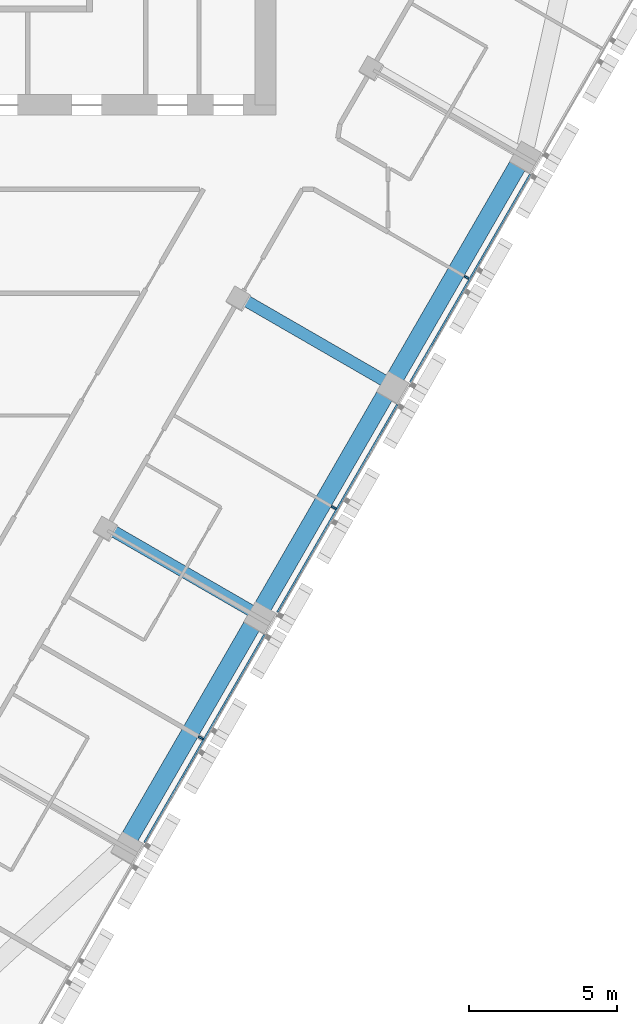
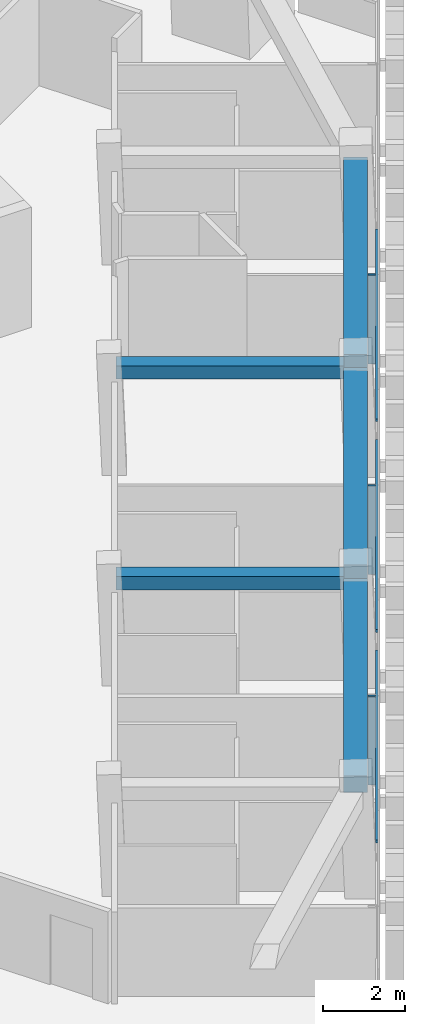
# One storey, part 4 of 16: 6 members, 5 beams, 1 element without a shape of its own.
"""IFC4 building model written with IfcOpenShell, lengths in metres."""

from ifc_helpers import new_model, si_unit, direction, frame, origin, origin_2d, place, context, subcontext, project, spatial, rectangle, extrude, material, layer, layer_set, material_profile, profile_set, type_object, element, aggregate, save


model = new_model("IFC4")

# Units and contexts
model_context = context("Model", 3, precision=1e-05, world=origin(), true_north=direction((0.0, 1.0)))
body_context = subcontext(model_context, "Body", "Model", "MODEL_VIEW")
ifc_project = project(units=[si_unit("LENGTHUNIT", "METRE"), si_unit("AREAUNIT", "SQUARE_METRE"), si_unit("VOLUMEUNIT", "CUBIC_METRE"), si_unit("PLANEANGLEUNIT", "RADIAN"), si_unit("MASSUNIT", "GRAM", prefix="KILO")], contexts=[model_context])

# Site, building, storey
site_placement = place(None, origin())
site = spatial("IfcSite", under=ifc_project, at=site_placement, CompositionType="ELEMENT")
building_placement = place(site_placement, origin())
building = spatial("IfcBuilding", under=site, at=building_placement, Name="Altiplano Prism Tower", CompositionType="ELEMENT")
storey_placement = place(building_placement, frame((0.0, 0.0, 178.199951171875)))
storey = spatial("IfcBuildingStorey", under=building, at=storey_placement, Name="L46", CompositionType="ELEMENT", Elevation=178.199951171875)

# Curtain wall, members
ifc_material_1 = material(Name="Aluminium and glass", Category="aluminium")
ifc_layer = layer(ifc_material_1, 0.280029296875)
ifc_layer_set = layer_set([ifc_layer], Name="Aluminium and glass")
curtain_wall_type = type_object("IfcCurtainWallType", Name="CW1 typical co-living unitised curtain wall", PredefinedType="NOTDEFINED", material=ifc_layer_set)
curtain_wall_placement = place(storey_placement, origin())
curtain_wall = element("IfcCurtainWall", 1, at=curtain_wall_placement, inside=storey, type_object=curtain_wall_type, Name="CW1 curtain wall south-east face L46", PredefinedType="NOTDEFINED")
ifc_material_2 = material(Name="Aluminium", Category="aluminium")
ifc_material_profile_1 = material_profile(ifc_material_2, rectangle(XDim=0.179931640625, YDim=0.06494140625, at=origin_2d()), Name="CW1 mullion 65 x 180")
ifc_profile_set_1 = profile_set([ifc_material_profile_1], Name="Aluminium")
member_type_1 = type_object("IfcMemberType", Name="CW1 mullion 65 x 180", PredefinedType="MULLION", material=ifc_profile_set_1)
member_1_placement = place(storey_placement, frame((95.162353515625, 71.61962890625, 0.0), z_axis=(0.0, 0.0, 1.0), x_axis=(-0.866025406097, 0.499999995995, 0.0)))
member_1 = element("IfcMember", 2, at=member_1_placement, type_object=member_type_1, Name="CW1 mullion", PredefinedType="MULLION", context=body_context, shape_type="SweptSolid", body=[
    extrude(rectangle(XDim=0.179931640625, YDim=0.06494140625, at=origin_2d()), origin(), (0.0, 0.0, 1.0), 2.650146484375),
])
member_2_placement = place(storey_placement, frame((99.662353515625, 79.413818359375, 0.0), z_axis=(0.0, 0.0, 1.0), x_axis=(-0.866025406097, 0.499999995995, 0.0)))
member_2 = element("IfcMember", 3, at=member_2_placement, type_object=member_type_1, Name="CW1 mullion", PredefinedType="MULLION", context=body_context, shape_type="SweptSolid", body=[
    extrude(rectangle(XDim=0.179931640625, YDim=0.06494140625, at=origin_2d()), origin(), (0.0, 0.0, 1.0), 2.650146484375),
])
member_3_placement = place(storey_placement, frame((104.162353515625, 87.208251953125, 0.0), z_axis=(0.0, 0.0, 1.0), x_axis=(-0.866025406097, 0.499999995995, 0.0)))
member_3 = element("IfcMember", 4, at=member_3_placement, type_object=member_type_1, Name="CW1 mullion", PredefinedType="MULLION", context=body_context, shape_type="SweptSolid", body=[
    extrude(rectangle(XDim=0.179931640625, YDim=0.06494140625, at=origin_2d()), origin(), (0.0, 0.0, 1.0), 2.650146484375),
])
ifc_material_profile_2 = material_profile(ifc_material_2, rectangle(XDim=0.06005859375, YDim=0.080078125, at=origin_2d()), Name="CW1 transom 80 x 60")
ifc_profile_set_2 = profile_set([ifc_material_profile_2], Name="Aluminium")
member_type_2 = type_object("IfcMemberType", Name="CW1 transom 80 x 60", PredefinedType="USERDEFINED", material=ifc_profile_set_2)
member_4_placement = place(storey_placement, frame((93.256103515625, 68.077880859375, 1.10009765625), z_axis=(0.50001308349, 0.866017849896, 0.0), x_axis=(-0.866017849896, 0.50001308349, 0.0)))
member_4 = element("IfcMember", 5, at=member_4_placement, type_object=member_type_2, Name="CW1 transom", ObjectType="TRANSOM", PredefinedType="USERDEFINED", context=body_context, shape_type="SweptSolid", body=[
    extrude(rectangle(XDim=0.06005859375, YDim=0.080078125, at=origin_2d()), origin(), (0.0, 0.0, 1.0), 8.119873046875),
])
member_5_placement = place(storey_placement, frame((97.756103515625, 75.8720703125, 1.10009765625), z_axis=(0.50001308349, 0.866017849896, 0.0), x_axis=(-0.866017849896, 0.50001308349, 0.0)))
member_5 = element("IfcMember", 6, at=member_5_placement, type_object=member_type_2, Name="CW1 transom", ObjectType="TRANSOM", PredefinedType="USERDEFINED", context=body_context, shape_type="SweptSolid", body=[
    extrude(rectangle(XDim=0.06005859375, YDim=0.080078125, at=origin_2d()), origin(), (0.0, 0.0, 1.0), 8.119873046875),
])
member_6_placement = place(storey_placement, frame((102.256103515625, 83.666259765625, 1.10009765625), z_axis=(0.50001308349, 0.866017849896, 0.0), x_axis=(-0.866017849896, 0.50001308349, 0.0)))
member_6 = element("IfcMember", 7, at=member_6_placement, type_object=member_type_2, Name="CW1 transom", ObjectType="TRANSOM", PredefinedType="USERDEFINED", context=body_context, shape_type="SweptSolid", body=[
    extrude(rectangle(XDim=0.06005859375, YDim=0.080078125, at=origin_2d()), origin(), (0.0, 0.0, 1.0), 8.119873046875),
])
aggregate(curtain_wall, [member_1, member_4, member_2, member_5, member_3, member_6])

# Beams
ifc_material_3 = material(Name="Concrete C60/75", Category="concrete")
ifc_material_profile_3 = material_profile(ifc_material_3, rectangle(XDim=0.60009765625, YDim=0.5, at=origin_2d()), Name="Edge beam 600x500")
ifc_profile_set_3 = profile_set([ifc_material_profile_3], Name="Concrete C60/75")
beam_type_1 = type_object("IfcBeamType", Name="Edge beam 600x500", PredefinedType="SPANDREL", material=ifc_profile_set_3)
for number, where, z_axis, x_axis, name in (
    (8, (92.747314453125, 68.233642578125, 2.900146484375), (0.499993714791, 0.866029032521, 0.0), (-0.866029032521, 0.499993714791, 0.0), "Edge beam P21-P22 L47"),
    (9, (97.247314453125, 76.02783203125, 2.900146484375), (0.499993714791, 0.866029032521, 0.0), (-0.866029032521, 0.499993714791, 0.0), "Edge beam P22-P23 L47"),
    (10, (101.747314453125, 83.822021484375, 2.900146484375), (0.499993714791, 0.866029032521, 0.0), (-0.866029032521, 0.499993714791, 0.0), "Edge beam P23-P24 L47"),
):
    element("IfcBeam", number, at=place(storey_placement, frame(where, z_axis=z_axis, x_axis=x_axis)), inside=storey, type_object=beam_type_1, Name=name, PredefinedType="SPANDREL", context=body_context, shape_type="SweptSolid", body=[
        extrude(rectangle(XDim=0.60009765625, YDim=0.5, at=origin_2d()), origin(), (0.0, 0.0, 1.0), 8.43994140625),
    ])
ifc_material_profile_4 = material_profile(ifc_material_3, rectangle(XDim=0.39990234375, YDim=0.39990234375, at=origin_2d()), Name="Tie beam 400x400")
ifc_profile_set_4 = profile_set([ifc_material_profile_4], Name="Concrete C60/75")
beam_type_2 = type_object("IfcBeamType", Name="Tie beam 400x400", PredefinedType="BEAM", material=ifc_profile_set_4)
for number, where, z_axis, x_axis, name in (
    (11, (92.023681640625, 78.720458984375, 2.949951171875), (0.866011758658, -0.500023633308, 0.0), (0.500023633308, 0.866011758658, 0.0), "Tie beam I22 L47"),
    (12, (96.523681640625, 86.5146484375, 2.949951171875), (0.866011758658, -0.500023633308, 0.0), (0.500023633308, 0.866011758658, 0.0), "Tie beam I23 L47"),
):
    element("IfcBeam", number, at=place(storey_placement, frame(where, z_axis=z_axis, x_axis=x_axis)), inside=storey, type_object=beam_type_2, Name=name, PredefinedType="BEAM", context=body_context, shape_type="SweptSolid", body=[
        extrude(rectangle(XDim=0.39990234375, YDim=0.39990234375, at=origin_2d()), origin(), (0.0, 0.0, 1.0), 5.590087890625),
    ])

save(model, "model.ifc")
